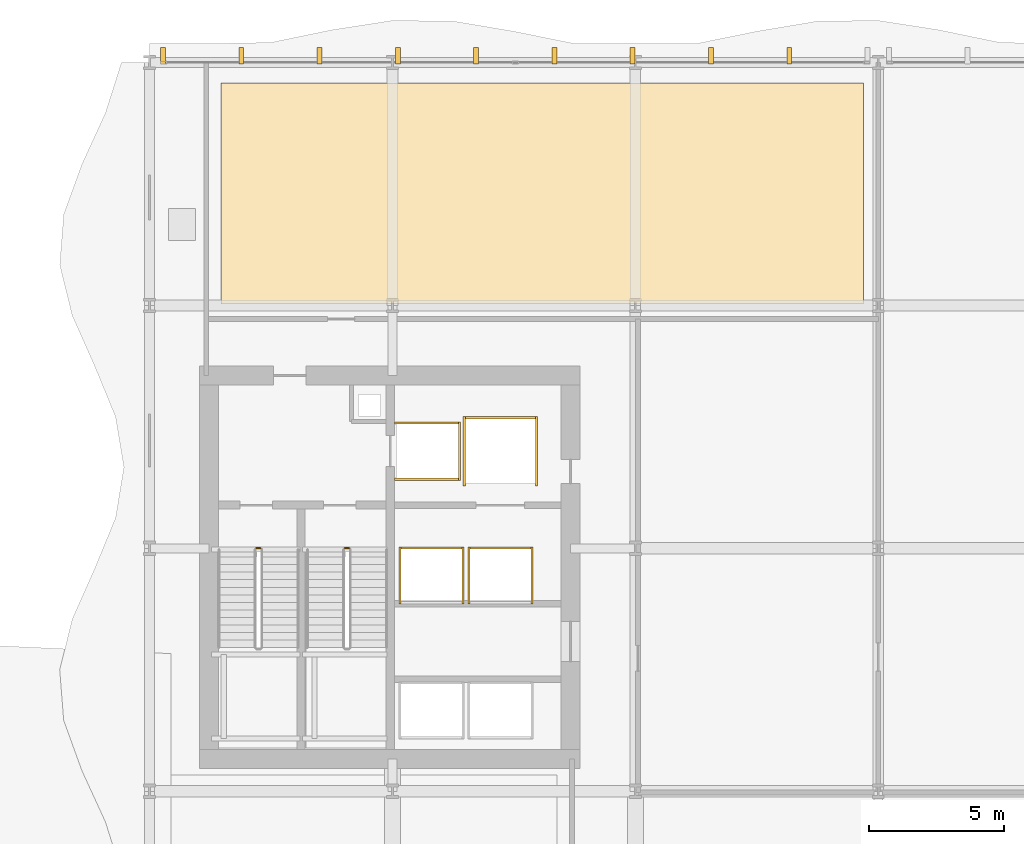
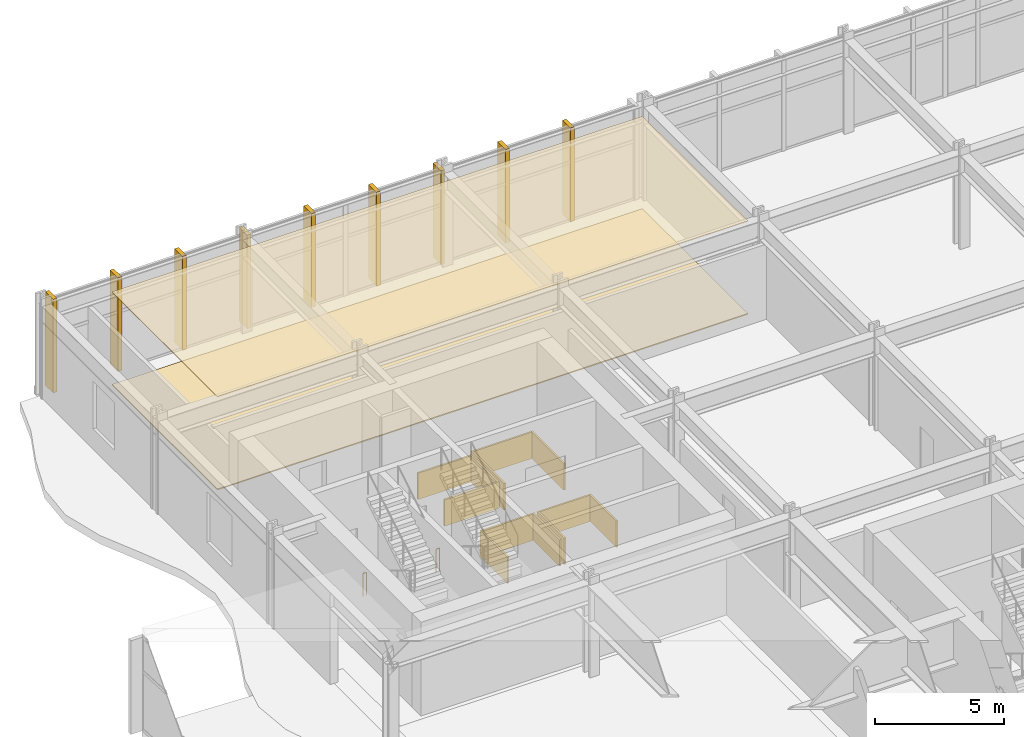
# One storey, part 29 of 31: 23 coverings, 2 railings.
"""IFC4 building model written with IfcOpenShell, lengths in metres."""

from ifc_helpers import new_model, si_unit, direction, frame, origin, origin_2d, place, context, subcontext, project, spatial, polyline, rectangle, circle, outline, extrude, material, layer, layer_set, type_object, element, save


model = new_model("IFC4")

# Units and contexts
model_context = context("Model", 3, precision=1e-05, world=origin(), true_north=direction((0.0, 1.0)))
body_context = subcontext(model_context, "Body", "Model", "MODEL_VIEW")
ifc_project = project(units=[si_unit("LENGTHUNIT", "METRE"), si_unit("AREAUNIT", "SQUARE_METRE"), si_unit("VOLUMEUNIT", "CUBIC_METRE"), si_unit("PLANEANGLEUNIT", "RADIAN"), si_unit("MASSUNIT", "GRAM", prefix="KILO")], contexts=[model_context])

# Site, building, storey
site_placement = place(None, origin())
site = spatial("IfcSite", under=ifc_project, at=site_placement, CompositionType="ELEMENT")
building_placement = place(site_placement, origin())
building = spatial("IfcBuilding", under=site, at=building_placement, Name="Solvaryn Broadcast Tower", CompositionType="ELEMENT")
storey_placement = place(building_placement, frame((0.0, 0.0, 26.0)))
storey = spatial("IfcBuildingStorey", under=building, at=storey_placement, Name="L05", CompositionType="ELEMENT", Elevation=26.0)

# Coverings
ifc_material_1 = material(Name="Studio Acoustic Mineral-Wool Baffle Ceiling", Category="concrete")
ifc_layer_1 = layer(ifc_material_1, 0.06005859375)
ifc_layer_set_1 = layer_set([ifc_layer_1], Name="CV-CEIL-BAFFLE")
covering_type_1 = type_object("IfcCoveringType", Name="CV-CEIL-BAFFLE", PredefinedType="CEILING", material=ifc_layer_set_1)
covering_1_placement = place(storey_placement, frame((0.0, 0.0, 4.39990234375)))
element("IfcCovering", 1, at=covering_1_placement, inside=storey, type_object=covering_type_1, Name="L05 Room Acoustic Ceiling 2", PredefinedType="CEILING", context=body_context, shape_type="SweptSolid", body=[
    extrude(outline(polyline([(11.64990234375, 45.050048828125), (35.449951171875, 45.050048828125), (35.449951171875, 53.25), (11.64990234375, 53.25), (11.64990234375, 45.050048828125)])), origin(), (0.0, 0.0, 1.0), 0.0400390625),
])
ifc_material_2 = material(Name="Isolated Broadcast Studio Floating Acoustic Floor", Category="concrete")
ifc_layer_2 = layer(ifc_material_2, 0.080078125)
ifc_layer_set_2 = layer_set([ifc_layer_2], Name="CV-FLOOR-STUDIO")
covering_type_2 = type_object("IfcCoveringType", Name="CV-FLOOR-STUDIO", PredefinedType="FLOORING", material=ifc_layer_set_2)
covering_2_placement = place(storey_placement, origin())
element("IfcCovering", 2, at=covering_2_placement, inside=storey, type_object=covering_type_2, Name="L05 Room Acoustic Floor Finish 2", PredefinedType="FLOORING", context=body_context, shape_type="SweptSolid", body=[
    extrude(outline(polyline([(11.64990234375, 45.050048828125), (35.449951171875, 45.050048828125), (35.449951171875, 53.25), (11.64990234375, 53.25), (11.64990234375, 45.050048828125)])), origin(), (0.0, 0.0, 1.0), 0.050048828125),
])
ifc_material_3 = material(Name="Fire-Rated Gypsum Shaftwall Liner", Category="concrete")
ifc_layer_3 = layer(ifc_material_3, 0.080078125)
ifc_layer_set_3 = layer_set([ifc_layer_3], Name="CV-SHAFT-LINER")
covering_type_3 = type_object("IfcCoveringType", Name="CV-SHAFT-LINER", PredefinedType="CLADDING", material=ifc_layer_set_3)
for number, where, z_axis, x_axis, name in (
    (3, (19.300048828125, 40.639892578125, 0.0), (0.0, 0.0, 1.0), (1.0, 0.0, 0.0), "L05 FL1 Hoistway Shaft Liner North"),
    (4, (19.300048828125, 38.56005859375, 0.0), (0.0, 0.0, 1.0), (1.0, 0.0, 0.0), "L05 FL1 Hoistway Shaft Liner South"),
):
    element("IfcCovering", number, at=place(storey_placement, frame(where, z_axis=z_axis, x_axis=x_axis)), inside=storey, type_object=covering_type_3, Name=name, PredefinedType="CLADDING", context=body_context, shape_type="SweptSolid", body=[
        extrude(rectangle(XDim=2.4599609375, YDim=0.080078125, at=origin_2d()), origin(), (0.0, 0.0, 1.0), 1.25),
    ])
covering_3_placement = place(storey_placement, frame((20.489990234375, 39.60009765625, 0.0), z_axis=(0.0, 0.0, 1.0), x_axis=(1.0, 0.0, 0.0)))
element("IfcCovering", 5, at=covering_3_placement, inside=storey, type_object=covering_type_3, Name="L05 FL1 Hoistway Shaft Liner East", PredefinedType="CLADDING", context=body_context, shape_type="SweptSolid", body=[
    extrude(rectangle(XDim=0.080078125, YDim=2.159912109375, at=origin_2d()), origin(), (0.0, 0.0, 1.0), 1.25),
])
covering_4_placement = place(storey_placement, frame((22.0, 40.840087890625, 0.0), z_axis=(0.0, 0.0, 1.0), x_axis=(1.0, 0.0, 0.0)))
element("IfcCovering", 6, at=covering_4_placement, inside=storey, type_object=covering_type_3, Name="L05 SV1 Hoistway Shaft Liner North", PredefinedType="CLADDING", context=body_context, shape_type="SweptSolid", body=[
    extrude(rectangle(XDim=2.760009765625, YDim=0.080078125, at=origin_2d()), origin(), (0.0, 0.0, 1.0), 1.25),
])
for number, where, z_axis, x_axis, name in (
    (7, (23.340087890625, 39.60009765625, 0.0), (0.0, 0.0, 1.0), (1.0, 0.0, 0.0), "L05 SV1 Hoistway Shaft Liner East"),
    (8, (20.659912109375, 39.60009765625, 0.0), (0.0, 0.0, 1.0), (1.0, 0.0, 0.0), "L05 SV1 Hoistway Shaft Liner West"),
):
    element("IfcCovering", number, at=place(storey_placement, frame(where, z_axis=z_axis, x_axis=x_axis)), inside=storey, type_object=covering_type_3, Name=name, PredefinedType="CLADDING", context=body_context, shape_type="SweptSolid", body=[
        extrude(rectangle(XDim=0.080078125, YDim=2.56005859375, at=origin_2d()), origin(), (0.0, 0.0, 1.0), 1.25),
    ])
covering_5_placement = place(storey_placement, frame((19.449951171875, 36.014892578125, 0.0), z_axis=(0.0, 0.0, 1.0), x_axis=(1.0, 0.0, 0.0)))
element("IfcCovering", 9, at=covering_5_placement, inside=storey, type_object=covering_type_3, Name="L05 PH3 Hoistway Shaft Liner North", PredefinedType="CLADDING", context=body_context, shape_type="SweptSolid", body=[
    extrude(rectangle(XDim=2.409912109375, YDim=0.080078125, at=origin_2d()), origin(), (0.0, 0.0, 1.0), 1.25),
])
for number, where, z_axis, x_axis, name in (
    (10, (20.614990234375, 35.0, 0.0), (0.0, 0.0, 1.0), (1.0, 0.0, 0.0), "L05 PH3 Hoistway Shaft Liner East"),
    (11, (18.284912109375, 35.0, 0.0), (0.0, 0.0, 1.0), (1.0, 0.0, 0.0), "L05 PH3 Hoistway Shaft Liner West"),
):
    element("IfcCovering", number, at=place(storey_placement, frame(where, z_axis=z_axis, x_axis=x_axis)), inside=storey, type_object=covering_type_3, Name=name, PredefinedType="CLADDING", context=body_context, shape_type="SweptSolid", body=[
        extrude(rectangle(XDim=0.080078125, YDim=2.110107421875, at=origin_2d()), origin(), (0.0, 0.0, 1.0), 1.25),
    ])
covering_6_placement = place(storey_placement, frame((22.0, 36.014892578125, 0.0), z_axis=(0.0, 0.0, 1.0), x_axis=(1.0, 0.0, 0.0)))
element("IfcCovering", 12, at=covering_6_placement, inside=storey, type_object=covering_type_3, Name="L05 PH4 Hoistway Shaft Liner North", PredefinedType="CLADDING", context=body_context, shape_type="SweptSolid", body=[
    extrude(rectangle(XDim=2.409912109375, YDim=0.080078125, at=origin_2d()), origin(), (0.0, 0.0, 1.0), 1.25),
])
for number, where, z_axis, x_axis, name in (
    (13, (23.1650390625, 35.0, 0.0), (0.0, 0.0, 1.0), (1.0, 0.0, 0.0), "L05 PH4 Hoistway Shaft Liner East"),
    (14, (20.8349609375, 35.0, 0.0), (0.0, 0.0, 1.0), (1.0, 0.0, 0.0), "L05 PH4 Hoistway Shaft Liner West"),
):
    element("IfcCovering", number, at=place(storey_placement, frame(where, z_axis=z_axis, x_axis=x_axis)), inside=storey, type_object=covering_type_3, Name=name, PredefinedType="CLADDING", context=body_context, shape_type="SweptSolid", body=[
        extrude(rectangle(XDim=0.080078125, YDim=2.110107421875, at=origin_2d()), origin(), (0.0, 0.0, 1.0), 1.25),
    ])
ifc_material_4 = material(Name="Extruded Architectural Terracotta Fin", Category="masonry")
ifc_layer_4 = layer(ifc_material_4, 0.179931640625)
ifc_layer_set_4 = layer_set([ifc_layer_4], Name="CV-TC-FIN")
covering_type_4 = type_object("IfcCoveringType", Name="CV-TC-FIN", PredefinedType="USERDEFINED", material=ifc_layer_set_4)
for number, where, z_axis, x_axis, name in (
    (15, (9.5, 54.25, 0.0), (0.0, 0.0, 1.0), (1.0, 0.0, 0.0), "L05 Terracotta Vertical Fin FIN-POD-L05-N1-00"),
    (16, (12.39990234375, 54.25, 0.0), (0.0, 0.0, 1.0), (1.0, 0.0, 0.0), "L05 Terracotta Vertical Fin FIN-POD-L05-N1-01"),
    (17, (15.300048828125, 54.25, 0.0), (0.0, 0.0, 1.0), (1.0, 0.0, 0.0), "L05 Terracotta Vertical Fin FIN-POD-L05-N1-02"),
    (18, (18.199951171875, 54.25, 0.0), (0.0, 0.0, 1.0), (1.0, 0.0, 0.0), "L05 Terracotta Vertical Fin FIN-POD-L05-N1-03"),
    (19, (21.10009765625, 54.25, 0.0), (0.0, 0.0, 1.0), (1.0, 0.0, 0.0), "L05 Terracotta Vertical Fin FIN-POD-L05-N1-04"),
    (20, (24.0, 54.25, 0.0), (0.0, 0.0, 1.0), (1.0, 0.0, 0.0), "L05 Terracotta Vertical Fin FIN-POD-L05-N1-05"),
    (21, (26.89990234375, 54.25, 0.0), (0.0, 0.0, 1.0), (1.0, 0.0, 0.0), "L05 Terracotta Vertical Fin FIN-POD-L05-N1-06"),
    (22, (29.800048828125, 54.25, 0.0), (0.0, 0.0, 1.0), (1.0, 0.0, 0.0), "L05 Terracotta Vertical Fin FIN-POD-L05-N1-07"),
    (23, (32.699951171875, 54.25, 0.0), (0.0, 0.0, 1.0), (1.0, 0.0, 0.0), "L05 Terracotta Vertical Fin FIN-POD-L05-N1-08"),
):
    element("IfcCovering", number, at=place(storey_placement, frame(where, z_axis=z_axis, x_axis=x_axis)), inside=storey, type_object=covering_type_4, Name=name, ObjectType="FIN", PredefinedType="USERDEFINED", context=body_context, shape_type="SweptSolid", body=[
        extrude(rectangle(XDim=0.179931640625, YDim=0.6201171875, at=origin_2d()), origin(), (0.0, 0.0, 1.0), 4.43994140625),
    ])

# Railings
ifc_material_5 = material(Name="Painted Steel Stair Well Guard", Category="steel")
railing_type = type_object("IfcRailingType", Name="RL-STAIR-GUARD", PredefinedType="BALUSTRADE", material=ifc_material_5)
railing_1_placement = place(storey_placement, frame((12.9599609375, 36.010009765625, 0.0)))
element("IfcRailing", 24, at=railing_1_placement, inside=storey, type_object=railing_type, Name="L05 ST1 stair guard 4", PredefinedType="BALUSTRADE", context=body_context, shape_type="SweptSolid", body=[
    extrude(circle(Radius=0.02392578125, at=origin_2d()), frame((0.0, 0.0, 1.076171875), z_axis=(1.0, 0.0, 0.0), x_axis=(0.0, 1.0, 0.0)), (0.0, 0.0, 1.0), 0.150146484375),
    extrude(circle(Radius=0.02099609375, at=origin_2d()), origin(), (0.0, 0.0, 1.0), 1.052001953125),
    extrude(circle(Radius=0.02099609375, at=origin_2d()), frame((0.150146484375, 0.0, 0.0)), (0.0, 0.0, 1.0), 1.052001953125),
])
railing_2_placement = place(storey_placement, frame((16.239990234375, 36.010009765625, 0.0)))
element("IfcRailing", 25, at=railing_2_placement, inside=storey, type_object=railing_type, Name="L05 ST2 stair guard 4", PredefinedType="BALUSTRADE", context=body_context, shape_type="SweptSolid", body=[
    extrude(circle(Radius=0.02392578125, at=origin_2d()), frame((0.0, 0.0, 1.076171875), z_axis=(1.0, 0.0, 0.0), x_axis=(0.0, 1.0, 0.0)), (0.0, 0.0, 1.0), 0.14990234375),
    extrude(circle(Radius=0.02099609375, at=origin_2d()), origin(), (0.0, 0.0, 1.0), 1.052001953125),
    extrude(circle(Radius=0.02099609375, at=origin_2d()), frame((0.14990234375, 0.0, 0.0)), (0.0, 0.0, 1.0), 1.052001953125),
])

save(model, "model.ifc")
